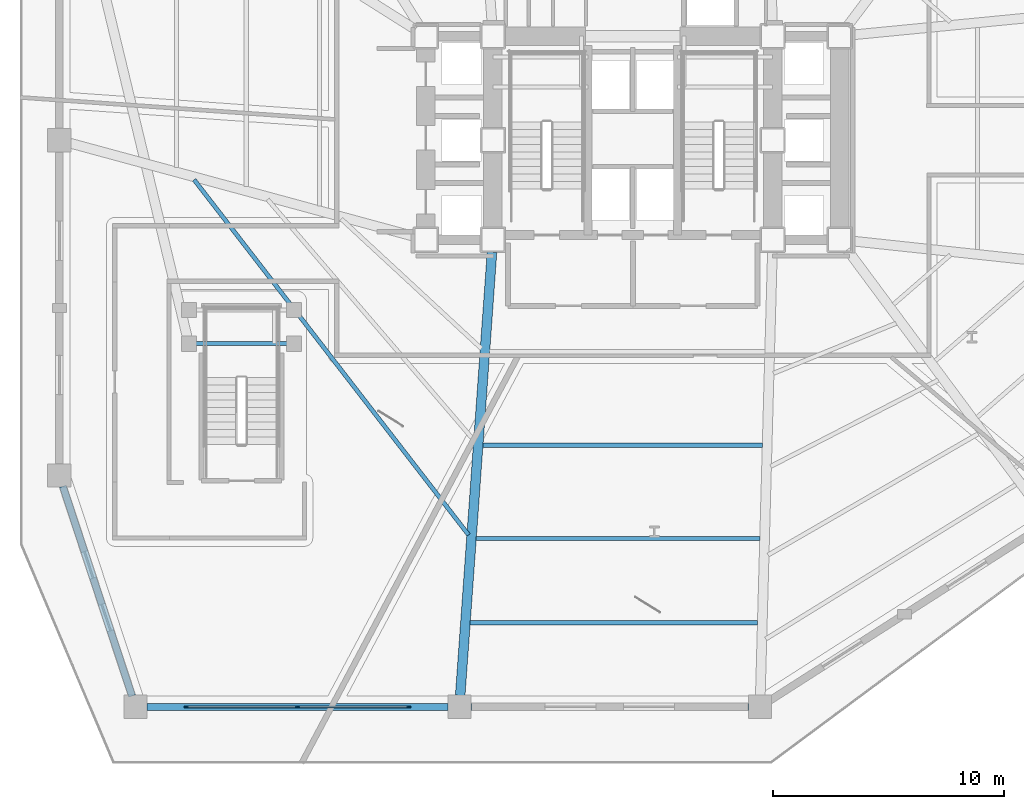
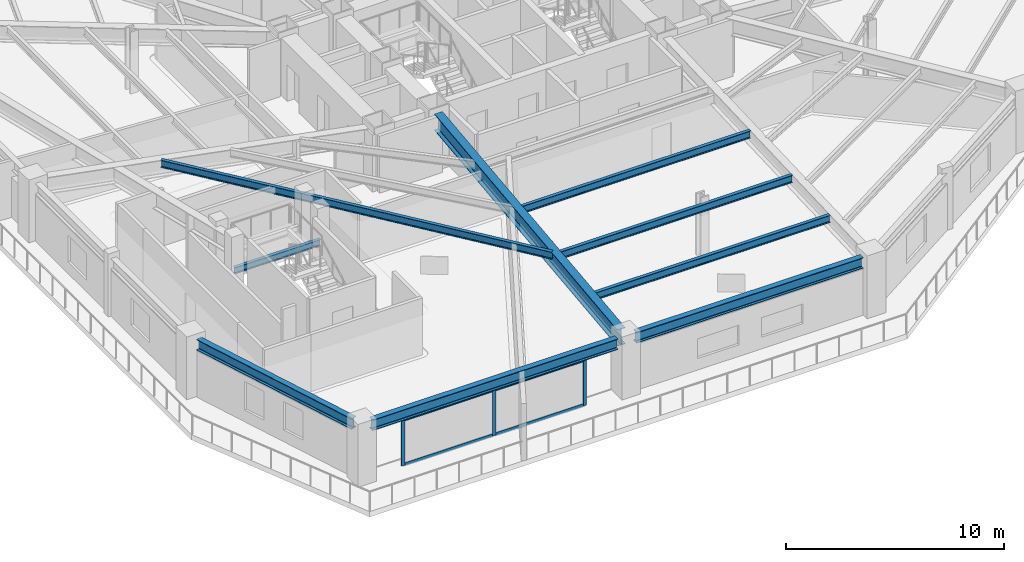
# One storey, part 2 of 12: 9 beams, 7 members, 1 element without a shape of its own.
"""IFC4 building model written with IfcOpenShell, lengths in metres."""

from ifc_helpers import new_model, si_unit, direction, frame, origin, origin_2d, place, context, subcontext, project, spatial, rectangle, i_section, extrude, material, layer, layer_set, material_profile, profile_set, type_object, element, aggregate, save


model = new_model("IFC4")

# Units and contexts
model_context = context("Model", 3, precision=1e-05, world=origin(), true_north=direction((0.0, 1.0)))
body_context = subcontext(model_context, "Body", "Model", "MODEL_VIEW")
ifc_project = project(units=[si_unit("LENGTHUNIT", "METRE"), si_unit("AREAUNIT", "SQUARE_METRE"), si_unit("VOLUMEUNIT", "CUBIC_METRE"), si_unit("PLANEANGLEUNIT", "RADIAN"), si_unit("MASSUNIT", "GRAM", prefix="KILO")], contexts=[model_context])

# Site, building, storey
site_placement = place(None, origin())
site = spatial("IfcSite", under=ifc_project, at=site_placement, CompositionType="ELEMENT")
building_placement = place(site_placement, origin())
building = spatial("IfcBuilding", under=site, at=building_placement, Name="Rocaltana Carrier Exchange", CompositionType="ELEMENT")
storey_placement = place(building_placement, frame((0.0, 0.0, 8.320068359375)))
storey = spatial("IfcBuildingStorey", under=building, at=storey_placement, Name="L03", CompositionType="ELEMENT", Elevation=8.320068359375)

# Curtain wall, members
ifc_material_1 = material(Name="Aluminium 6063-T6", Category="aluminium")
ifc_layer = layer(ifc_material_1, 0.179931640625)
ifc_layer_set = layer_set([ifc_layer], Name="Aluminium 6063-T6")
curtain_wall_type = type_object("IfcCurtainWallType", Name="Sandstone Spandrel Unitised Curtain Wall CW-01", PredefinedType="NOTDEFINED", material=ifc_layer_set)
curtain_wall_placement = place(storey_placement, origin())
curtain_wall = element("IfcCurtainWall", 1, at=curtain_wall_placement, inside=storey, type_object=curtain_wall_type, Name="L03 CW-01 Run CW01-POD-L03-B01", PredefinedType="NOTDEFINED")
ifc_material_2 = material(Name="Aluminium 6063-T6", Category="aluminium")
ifc_material_profile_1 = material_profile(ifc_material_2, rectangle(XDim=0.06494140625, YDim=0.179931640625, at=origin_2d()), Name="AL-65X180")
ifc_profile_set_1 = profile_set([ifc_material_profile_1], Name="Aluminium 6063-T6")
member_type_1 = type_object("IfcMemberType", Name="CW-01 Mullion AL-65X180", PredefinedType="MULLION", material=ifc_profile_set_1)
member_1_placement = place(storey_placement, frame((-9.6826171875, -24.5, 0.0), z_axis=(0.0, 0.0, 1.0), x_axis=(0.0, -1.0, 0.0)))
member_1 = element("IfcMember", 2, at=member_1_placement, type_object=member_type_1, Name="CW-01 mullion 1", PredefinedType="MULLION", context=body_context, shape_type="SweptSolid", body=[
    extrude(rectangle(XDim=0.06494140625, YDim=0.179931640625, at=origin_2d()), origin(), (0.0, 0.0, 1.0), 2.587890625),
])
member_2_placement = place(storey_placement, frame((-14.5, -24.5, 0.0), z_axis=(0.0, 0.0, 1.0), x_axis=(0.0, -1.0, 0.0)))
member_2 = element("IfcMember", 3, at=member_2_placement, type_object=member_type_1, Name="CW-01 mullion 2", PredefinedType="MULLION", context=body_context, shape_type="SweptSolid", body=[
    extrude(rectangle(XDim=0.06494140625, YDim=0.179931640625, at=origin_2d()), origin(), (0.0, 0.0, 1.0), 2.587890625),
])
member_3_placement = place(storey_placement, frame((-19.3173828125, -24.5, 0.0), z_axis=(0.0, 0.0, 1.0), x_axis=(0.0, -1.0, 0.0)))
member_3 = element("IfcMember", 4, at=member_3_placement, type_object=member_type_1, Name="CW-01 mullion 3", PredefinedType="MULLION", context=body_context, shape_type="SweptSolid", body=[
    extrude(rectangle(XDim=0.06494140625, YDim=0.179931640625, at=origin_2d()), origin(), (0.0, 0.0, 1.0), 2.587890625),
])
ifc_material_3 = material(Name="Aluminium 6063-T6", Category="aluminium")
ifc_material_profile_2 = material_profile(ifc_material_3, rectangle(XDim=0.06494140625, YDim=0.179931640625, at=origin_2d()), Name="AL-65X180")
ifc_profile_set_2 = profile_set([ifc_material_profile_2], Name="Aluminium 6063-T6")
member_type_2 = type_object("IfcMemberType", Name="CW-01 Transom AL-65X180", PredefinedType="USERDEFINED", material=ifc_profile_set_2)
member_4_placement = place(storey_placement, frame((-9.715087890625, -24.5, 0.032470703125), z_axis=(-1.0, 0.0, 0.0), x_axis=(0.0, -1.0, 0.0)))
member_4 = element("IfcMember", 5, at=member_4_placement, type_object=member_type_2, Name="CW-01 transom 1.1", ObjectType="TRANSOM", PredefinedType="USERDEFINED", context=body_context, shape_type="SweptSolid", body=[
    extrude(rectangle(XDim=0.06494140625, YDim=0.179931640625, at=origin_2d()), origin(), (0.0, 0.0, 1.0), 4.75244140625),
])
member_5_placement = place(storey_placement, frame((-9.715087890625, -24.5, 2.555419921875), z_axis=(-1.0, 0.0, 0.0), x_axis=(0.0, -1.0, 0.0)))
member_5 = element("IfcMember", 6, at=member_5_placement, type_object=member_type_2, Name="CW-01 transom 1.2", ObjectType="TRANSOM", PredefinedType="USERDEFINED", context=body_context, shape_type="SweptSolid", body=[
    extrude(rectangle(XDim=0.06494140625, YDim=0.179931640625, at=origin_2d()), origin(), (0.0, 0.0, 1.0), 4.75244140625),
])
member_6_placement = place(storey_placement, frame((-14.532470703125, -24.5, 0.032470703125), z_axis=(-1.0, 0.0, 0.0), x_axis=(0.0, -1.0, 0.0)))
member_6 = element("IfcMember", 7, at=member_6_placement, type_object=member_type_2, Name="CW-01 transom 2.1", ObjectType="TRANSOM", PredefinedType="USERDEFINED", context=body_context, shape_type="SweptSolid", body=[
    extrude(rectangle(XDim=0.06494140625, YDim=0.179931640625, at=origin_2d()), origin(), (0.0, 0.0, 1.0), 4.75244140625),
])
member_7_placement = place(storey_placement, frame((-14.532470703125, -24.5, 2.555419921875), z_axis=(-1.0, 0.0, 0.0), x_axis=(0.0, -1.0, 0.0)))
member_7 = element("IfcMember", 8, at=member_7_placement, type_object=member_type_2, Name="CW-01 transom 2.2", ObjectType="TRANSOM", PredefinedType="USERDEFINED", context=body_context, shape_type="SweptSolid", body=[
    extrude(rectangle(XDim=0.06494140625, YDim=0.179931640625, at=origin_2d()), origin(), (0.0, 0.0, 1.0), 4.75244140625),
])
aggregate(curtain_wall, [member_1, member_2, member_3, member_4, member_5, member_6, member_7])

# Beams
ifc_material_4 = material(Name="Steel S355", Category="steel")
ifc_material_profile_3 = material_profile(ifc_material_4, i_section(OverallWidth=0.172119140625, OverallDepth=0.35791015625, WebThickness=0.0078125, FlangeThickness=0.01318359375, FilletRadius=0.011962890625, at=origin_2d()), Name="W14X38")
ifc_profile_set_3 = profile_set([ifc_material_profile_3], Name="Steel S355")
beam_type_1 = type_object("IfcBeamType", Name="Floor Joist W14X38", PredefinedType="JOIST", material=ifc_profile_set_3)
beam_1_placement = place(storey_placement, frame((-19.199951171875, -8.800048828125, 1.380859375), z_axis=(1.0, 0.0, 0.0), x_axis=(0.0, 1.0, 0.0)))
element("IfcBeam", 9, at=beam_1_placement, inside=storey, type_object=beam_type_1, Name="L03 ST-3 South Landing Carrier", PredefinedType="JOIST", context=body_context, shape_type="SweptSolid", body=[
    extrude(i_section(OverallWidth=0.172119140625, OverallDepth=0.35791015625, WebThickness=0.0078125, FlangeThickness=0.01318359375, FilletRadius=0.011962890625, at=origin_2d()), origin(), (0.0, 0.0, 1.0), 4.550048828125),
])
ifc_material_5 = material(Name="Steel S355", Category="steel")
ifc_material_profile_4 = material_profile(ifc_material_5, i_section(OverallWidth=0.179931640625, OverallDepth=0.4130859375, WebThickness=0.009765625, FlangeThickness=0.01611328125, FilletRadius=0.012939453125, at=origin_2d()), Name="W16X50")
ifc_profile_set_4 = profile_set([ifc_material_profile_4], Name="Steel S355")
beam_type_2 = type_object("IfcBeamType", Name="Floor Joist W16X50", PredefinedType="JOIST", material=ifc_profile_set_4)
beam_2_placement = place(storey_placement, frame((-6.485107421875, -13.18798828125, 3.011474609375), z_axis=(1.0, 0.0, 0.0), x_axis=(0.0, 1.0, 0.0)))
element("IfcBeam", 10, at=beam_2_placement, inside=storey, type_object=beam_type_2, Name="FJ-POD-01-2-L03", PredefinedType="JOIST", context=body_context, shape_type="SweptSolid", body=[
    extrude(i_section(OverallWidth=0.179931640625, OverallDepth=0.4130859375, WebThickness=0.009765625, FlangeThickness=0.01611328125, FilletRadius=0.012939453125, at=origin_2d()), origin(), (0.0, 0.0, 1.0), 12.090087890625),
])
beam_3_placement = place(storey_placement, frame((-6.77490234375, -17.22802734375, 3.011474609375), z_axis=(1.0, 0.0, 0.0), x_axis=(0.0, 1.0, 0.0)))
element("IfcBeam", 11, at=beam_3_placement, inside=storey, type_object=beam_type_2, Name="FJ-POD-01-3-L03", PredefinedType="JOIST", context=body_context, shape_type="SweptSolid", body=[
    extrude(i_section(OverallWidth=0.179931640625, OverallDepth=0.4130859375, WebThickness=0.009765625, FlangeThickness=0.01611328125, FilletRadius=0.012939453125, at=origin_2d()), origin(), (0.0, 0.0, 1.0), 12.27001953125),
])
beam_4_placement = place(storey_placement, frame((-7.035888671875, -20.864013671875, 3.011474609375), z_axis=(1.0, 0.0, 0.0), x_axis=(0.0, 1.0, 0.0)))
element("IfcBeam", 12, at=beam_4_placement, inside=storey, type_object=beam_type_2, Name="FJ-POD-01-4-L03", PredefinedType="JOIST", context=body_context, shape_type="SweptSolid", body=[
    extrude(i_section(OverallWidth=0.179931640625, OverallDepth=0.4130859375, WebThickness=0.009765625, FlangeThickness=0.01611328125, FilletRadius=0.012939453125, at=origin_2d()), origin(), (0.0, 0.0, 1.0), 12.431884765625),
])
beam_5_placement = place(storey_placement, frame((-18.969970703125, -1.70849609375, 3.011474609375), z_axis=(0.611437477542, -0.791292746748, 0.0), x_axis=(0.791292746748, 0.611437477542, 0.0)))
element("IfcBeam", 13, at=beam_5_placement, inside=storey, type_object=beam_type_2, Name="FJ-POD-11-3-L03", PredefinedType="JOIST", context=body_context, shape_type="SweptSolid", body=[
    extrude(i_section(OverallWidth=0.179931640625, OverallDepth=0.4130859375, WebThickness=0.009765625, FlangeThickness=0.01611328125, FilletRadius=0.012939453125, at=origin_2d()), origin(), (0.0, 0.0, 1.0), 19.409912109375),
])
ifc_material_6 = material(Name="Steel S355", Category="steel")
ifc_material_profile_5 = material_profile(ifc_material_6, i_section(OverallWidth=0.41796875, OverallDepth=0.927001953125, WebThickness=0.019287109375, FlangeThickness=0.031982421875, FilletRadius=0.02197265625, at=origin_2d()), Name="W36X231")
ifc_profile_set_5 = profile_set([ifc_material_profile_5], Name="Steel S355")
beam_type_3 = type_object("IfcBeamType", Name="Heavy Floor Girder W36X231", PredefinedType="BEAM", material=ifc_profile_set_5)
beam_6_placement = place(storey_placement, frame((-6.0888671875, -4.840576171875, 2.75439453125), z_axis=(-0.071598236064, -0.997433552971, 0.0), x_axis=(0.997433552971, -0.071598236064, 0.0)))
element("IfcBeam", 14, at=beam_6_placement, inside=storey, type_object=beam_type_3, Name="BM-PODG-02-L03", PredefinedType="BEAM", context=body_context, shape_type="SweptSolid", body=[
    extrude(i_section(OverallWidth=0.41796875, OverallDepth=0.927001953125, WebThickness=0.019287109375, FlangeThickness=0.031982421875, FilletRadius=0.02197265625, at=origin_2d()), origin(), (0.0, 0.0, 1.0), 19.218017578125),
])
ifc_material_7 = material(Name="Steel S355", Category="steel")
ifc_material_profile_6 = material_profile(ifc_material_7, i_section(OverallWidth=0.300048828125, OverallDepth=0.60009765625, WebThickness=0.015380859375, FlangeThickness=0.030029296875, FilletRadius=0.027099609375, at=origin_2d()), Name="HEB600")
ifc_profile_set_6 = profile_set([ifc_material_profile_6], Name="Steel S355")
beam_type_4 = type_object("IfcBeamType", Name="Spandrel Edge Beam HEB600", PredefinedType="SPANDREL", material=ifc_profile_set_6)
beam_7_placement = place(storey_placement, frame((-21.008056640625, -24.5, 2.91796875), z_axis=(1.0, 0.0, 0.0), x_axis=(0.0, 1.0, 0.0)))
element("IfcBeam", 15, at=beam_7_placement, inside=storey, type_object=beam_type_4, Name="BM-PODR-01-L03", PredefinedType="SPANDREL", context=body_context, shape_type="SweptSolid", body=[
    extrude(i_section(OverallWidth=0.300048828125, OverallDepth=0.60009765625, WebThickness=0.015380859375, FlangeThickness=0.030029296875, FilletRadius=0.027099609375, at=origin_2d()), origin(), (0.0, 0.0, 1.0), 13.01611328125),
])
beam_8_placement = place(storey_placement, frame((-7.008056640625, -24.5, 2.91796875), z_axis=(1.0, 0.0, 0.0), x_axis=(0.0, 1.0, 0.0)))
element("IfcBeam", 16, at=beam_8_placement, inside=storey, type_object=beam_type_4, Name="BM-PODR-02-L03", PredefinedType="SPANDREL", context=body_context, shape_type="SweptSolid", body=[
    extrude(i_section(OverallWidth=0.300048828125, OverallDepth=0.60009765625, WebThickness=0.015380859375, FlangeThickness=0.030029296875, FilletRadius=0.027099609375, at=origin_2d()), origin(), (0.0, 0.0, 1.0), 12.01611328125),
])
beam_9_placement = place(storey_placement, frame((-24.645751953125, -14.96728515625, 2.91796875), z_axis=(0.313364538918, -0.94963291105, 0.0), x_axis=(0.94963291105, 0.313364538918, 0.0)))
element("IfcBeam", 17, at=beam_9_placement, inside=storey, type_object=beam_type_4, Name="BM-PODR-13-L03", PredefinedType="SPANDREL", context=body_context, shape_type="SweptSolid", body=[
    extrude(i_section(OverallWidth=0.300048828125, OverallDepth=0.60009765625, WebThickness=0.015380859375, FlangeThickness=0.030029296875, FilletRadius=0.027099609375, at=origin_2d()), origin(), (0.0, 0.0, 1.0), 9.546142578125),
])

save(model, "model.ifc")
